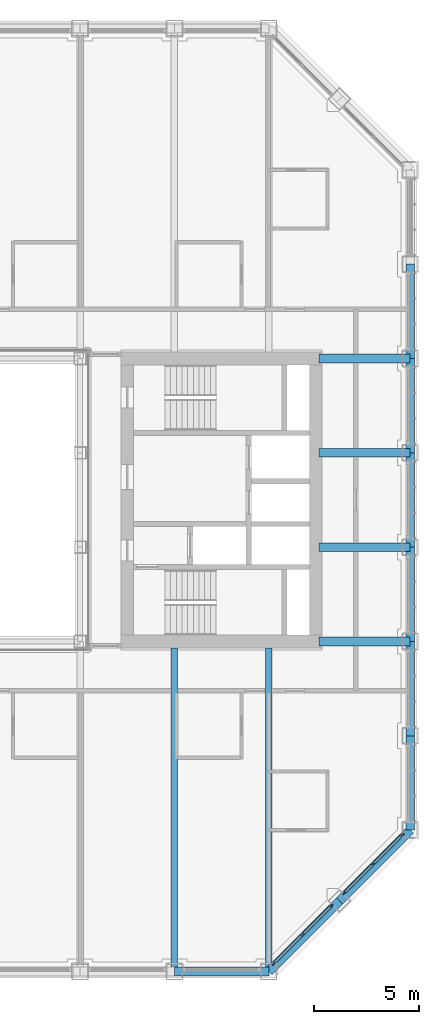
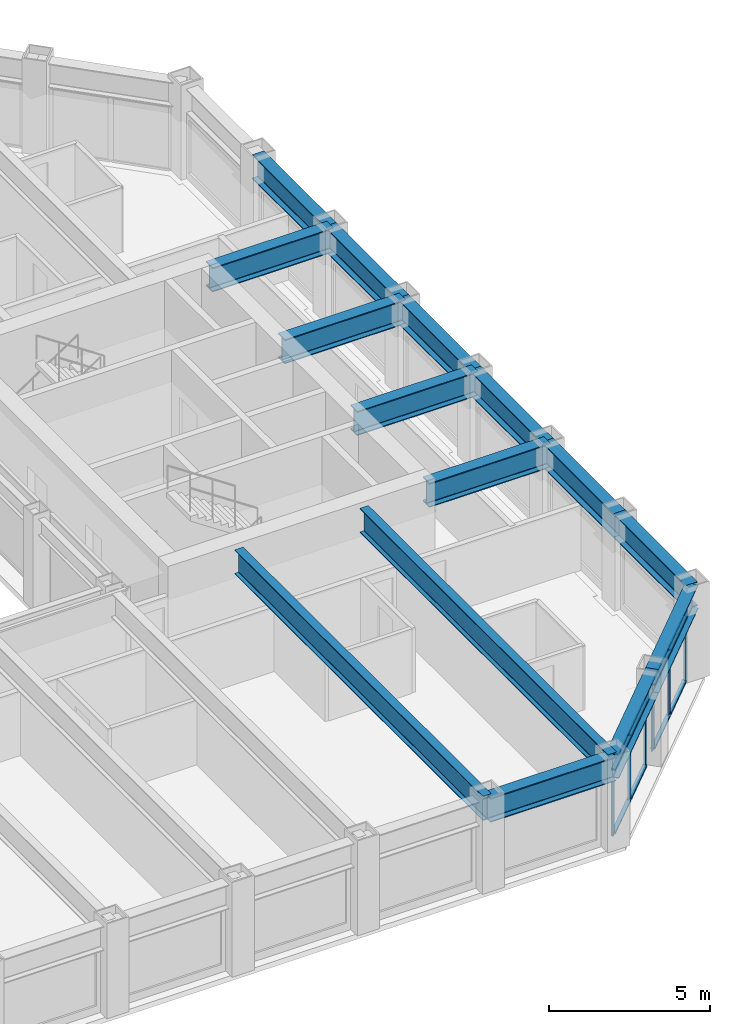
# One storey, part 6 of 17: 15 beams, 14 members, 2 elements without a shape of their own.
"""IFC4 building model written with IfcOpenShell, lengths in metres."""

from ifc_helpers import new_model, si_unit, direction, frame, origin, origin_2d, place, context, subcontext, project, spatial, rectangle, i_section, extrude, material, material_profile, profile_set, type_object, element, aggregate, save


model = new_model("IFC4")

# Units and contexts
model_context = context("Model", 3, precision=1e-05, world=origin(), true_north=direction((0.0, 1.0)))
body_context = subcontext(model_context, "Body", "Model", "MODEL_VIEW")
ifc_project = project(units=[si_unit("LENGTHUNIT", "METRE"), si_unit("AREAUNIT", "SQUARE_METRE"), si_unit("VOLUMEUNIT", "CUBIC_METRE"), si_unit("PLANEANGLEUNIT", "RADIAN"), si_unit("MASSUNIT", "GRAM", prefix="KILO")], contexts=[model_context])

# Site, building, storey
site_placement = place(None, origin())
site = spatial("IfcSite", under=ifc_project, at=site_placement, CompositionType="ELEMENT")
building_placement = place(site_placement, origin())
building = spatial("IfcBuilding", under=site, at=building_placement, Name="Msasa Ring Tower", CompositionType="ELEMENT")
storey_placement = place(building_placement, frame((0.0, 0.0, 147.199951171875)))
storey = spatial("IfcBuildingStorey", under=building, at=storey_placement, Name="L38", CompositionType="ELEMENT", Elevation=147.199951171875)

# Curtain wall, members
ifc_material_1 = material(Name="Aluminium curtain wall with clear glass", Category="aluminium")
curtain_wall_type = type_object("IfcCurtainWallType", Name="CW-C CHAMFER CORNER CURTAIN WALL", PredefinedType="NOTDEFINED", material=ifc_material_1)
curtain_wall_1_placement = place(storey_placement, origin())
curtain_wall_1 = element("IfcCurtainWall", 1, at=curtain_wall_1_placement, inside=storey, type_object=curtain_wall_type, Name="Chamfer corner curtain wall SE L38", PredefinedType="NOTDEFINED")
ifc_material_2 = material(Name="Aluminium mullion", Category="aluminium")
ifc_material_profile_1 = material_profile(ifc_material_2, rectangle(XDim=0.06494140625, YDim=0.179931640625, at=origin_2d()), Name="AL 65x180")
ifc_profile_set_1 = profile_set([ifc_material_profile_1], Name="Aluminium mullion")
member_type_1 = type_object("IfcMemberType", Name="CW-C MULLION 65x180", PredefinedType="MULLION", material=ifc_profile_set_1)
member_1_placement = place(storey_placement, frame((15.98876953125, -22.119873046875, 0.0), z_axis=(0.0, 0.0, 1.0), x_axis=(-0.707106781187, 0.707106781187, 0.0)))
member_1 = element("IfcMember", 2, at=member_1_placement, type_object=member_type_1, Name="CW-C mullion 1", PredefinedType="MULLION", context=body_context, shape_type="SweptSolid", body=[
    extrude(rectangle(XDim=0.06494140625, YDim=0.179931640625, at=origin_2d()), origin(), (0.0, 0.0, 1.0), 2.47900390625),
])
member_2_placement = place(storey_placement, frame((17.36669921875, -20.74169921875, 0.0), z_axis=(0.0, 0.0, 1.0), x_axis=(-0.707106781187, 0.707106781187, 0.0)))
member_2 = element("IfcMember", 3, at=member_2_placement, type_object=member_type_1, Name="CW-C mullion 2", PredefinedType="MULLION", context=body_context, shape_type="SweptSolid", body=[
    extrude(rectangle(XDim=0.06494140625, YDim=0.179931640625, at=origin_2d()), origin(), (0.0, 0.0, 1.0), 2.47900390625),
])
member_3_placement = place(storey_placement, frame((18.744873046875, -19.36376953125, 0.0), z_axis=(0.0, 0.0, 1.0), x_axis=(-0.707106781187, 0.707106781187, 0.0)))
member_3 = element("IfcMember", 4, at=member_3_placement, type_object=member_type_1, Name="CW-C mullion 3", PredefinedType="MULLION", context=body_context, shape_type="SweptSolid", body=[
    extrude(rectangle(XDim=0.06494140625, YDim=0.179931640625, at=origin_2d()), origin(), (0.0, 0.0, 1.0), 2.47900390625),
])

curtain_wall_2_placement = place(storey_placement, origin())
curtain_wall_2 = element("IfcCurtainWall", 5, at=curtain_wall_2_placement, inside=storey, type_object=curtain_wall_type, Name="Chamfer corner curtain wall SE L38", PredefinedType="NOTDEFINED")
member_4_placement = place(storey_placement, frame((19.36376953125, -18.744873046875, 0.0), z_axis=(0.0, 0.0, 1.0), x_axis=(-0.707106781187, 0.707106781187, 0.0)))
member_4 = element("IfcMember", 6, at=member_4_placement, type_object=member_type_1, Name="CW-C mullion 1", PredefinedType="MULLION", context=body_context, shape_type="SweptSolid", body=[
    extrude(rectangle(XDim=0.06494140625, YDim=0.179931640625, at=origin_2d()), origin(), (0.0, 0.0, 1.0), 2.47900390625),
])
member_5_placement = place(storey_placement, frame((20.74169921875, -17.36669921875, 0.0), z_axis=(0.0, 0.0, 1.0), x_axis=(-0.707106781187, 0.707106781187, 0.0)))
member_5 = element("IfcMember", 7, at=member_5_placement, type_object=member_type_1, Name="CW-C mullion 2", PredefinedType="MULLION", context=body_context, shape_type="SweptSolid", body=[
    extrude(rectangle(XDim=0.06494140625, YDim=0.179931640625, at=origin_2d()), origin(), (0.0, 0.0, 1.0), 2.47900390625),
])
member_6_placement = place(storey_placement, frame((22.119873046875, -15.98876953125, 0.0), z_axis=(0.0, 0.0, 1.0), x_axis=(-0.707106781187, 0.707106781187, 0.0)))
member_6 = element("IfcMember", 8, at=member_6_placement, type_object=member_type_1, Name="CW-C mullion 3", PredefinedType="MULLION", context=body_context, shape_type="SweptSolid", body=[
    extrude(rectangle(XDim=0.06494140625, YDim=0.179931640625, at=origin_2d()), origin(), (0.0, 0.0, 1.0), 2.47900390625),
])

# Member
ifc_material_3 = material(Name="Aluminium transom", Category="aluminium")
ifc_material_profile_2 = material_profile(ifc_material_3, rectangle(XDim=0.139892578125, YDim=0.06494140625, at=origin_2d()), Name="AL 65x140")
ifc_profile_set_2 = profile_set([ifc_material_profile_2], Name="Aluminium transom")
member_type_2 = type_object("IfcMemberType", Name="CW-C TRANSOM 65x140", PredefinedType="USERDEFINED", material=ifc_profile_set_2)
member_7_placement = place(storey_placement, frame((16.01171875, -22.096923828125, 0.032470703125), z_axis=(0.707106781187, 0.707106781187, 0.0), x_axis=(-0.707106781187, 0.707106781187, 0.0)))
member_7 = element("IfcMember", 9, at=member_7_placement, type_object=member_type_2, Name="CW-C transom 1.1", ObjectType="TRANSOM", PredefinedType="USERDEFINED", context=body_context, shape_type="SweptSolid", body=[
    extrude(rectangle(XDim=0.139892578125, YDim=0.06494140625, at=origin_2d()), origin(), (0.0, 0.0, 1.0), 1.8837890625),
])

member_8_placement = place(storey_placement, frame((16.01171875, -22.096923828125, 2.446533203125), z_axis=(0.707106781187, 0.707106781187, 0.0), x_axis=(-0.707106781187, 0.707106781187, 0.0)))
member_8 = element("IfcMember", 10, at=member_8_placement, type_object=member_type_2, Name="CW-C transom 1.2", ObjectType="TRANSOM", PredefinedType="USERDEFINED", context=body_context, shape_type="SweptSolid", body=[
    extrude(rectangle(XDim=0.139892578125, YDim=0.06494140625, at=origin_2d()), origin(), (0.0, 0.0, 1.0), 1.8837890625),
])

member_9_placement = place(storey_placement, frame((17.389892578125, -20.71875, 0.032470703125), z_axis=(0.707106781187, 0.707106781187, 0.0), x_axis=(-0.707106781187, 0.707106781187, 0.0)))
member_9 = element("IfcMember", 11, at=member_9_placement, type_object=member_type_2, Name="CW-C transom 2.1", ObjectType="TRANSOM", PredefinedType="USERDEFINED", context=body_context, shape_type="SweptSolid", body=[
    extrude(rectangle(XDim=0.139892578125, YDim=0.06494140625, at=origin_2d()), origin(), (0.0, 0.0, 1.0), 1.8837890625),
])

member_10_placement = place(storey_placement, frame((17.389892578125, -20.71875, 2.446533203125), z_axis=(0.707106781187, 0.707106781187, 0.0), x_axis=(-0.707106781187, 0.707106781187, 0.0)))
member_10 = element("IfcMember", 12, at=member_10_placement, type_object=member_type_2, Name="CW-C transom 2.2", ObjectType="TRANSOM", PredefinedType="USERDEFINED", context=body_context, shape_type="SweptSolid", body=[
    extrude(rectangle(XDim=0.139892578125, YDim=0.06494140625, at=origin_2d()), origin(), (0.0, 0.0, 1.0), 1.8837890625),
])

aggregate(curtain_wall_1, [member_1, member_2, member_3, member_7, member_8, member_9, member_10])

member_11_placement = place(storey_placement, frame((19.38671875, -18.721923828125, 0.032470703125), z_axis=(0.707106781187, 0.707106781187, 0.0), x_axis=(-0.707106781187, 0.707106781187, 0.0)))
member_11 = element("IfcMember", 13, at=member_11_placement, type_object=member_type_2, Name="CW-C transom 1.1", ObjectType="TRANSOM", PredefinedType="USERDEFINED", context=body_context, shape_type="SweptSolid", body=[
    extrude(rectangle(XDim=0.139892578125, YDim=0.06494140625, at=origin_2d()), origin(), (0.0, 0.0, 1.0), 1.8837890625),
])

member_12_placement = place(storey_placement, frame((19.38671875, -18.721923828125, 2.446533203125), z_axis=(0.707106781187, 0.707106781187, 0.0), x_axis=(-0.707106781187, 0.707106781187, 0.0)))
member_12 = element("IfcMember", 14, at=member_12_placement, type_object=member_type_2, Name="CW-C transom 1.2", ObjectType="TRANSOM", PredefinedType="USERDEFINED", context=body_context, shape_type="SweptSolid", body=[
    extrude(rectangle(XDim=0.139892578125, YDim=0.06494140625, at=origin_2d()), origin(), (0.0, 0.0, 1.0), 1.8837890625),
])

member_13_placement = place(storey_placement, frame((20.764892578125, -17.34375, 0.032470703125), z_axis=(0.707106781187, 0.707106781187, 0.0), x_axis=(-0.707106781187, 0.707106781187, 0.0)))
member_13 = element("IfcMember", 15, at=member_13_placement, type_object=member_type_2, Name="CW-C transom 2.1", ObjectType="TRANSOM", PredefinedType="USERDEFINED", context=body_context, shape_type="SweptSolid", body=[
    extrude(rectangle(XDim=0.139892578125, YDim=0.06494140625, at=origin_2d()), origin(), (0.0, 0.0, 1.0), 1.8837890625),
])

member_14_placement = place(storey_placement, frame((20.764892578125, -17.34375, 2.446533203125), z_axis=(0.707106781187, 0.707106781187, 0.0), x_axis=(-0.707106781187, 0.707106781187, 0.0)))
member_14 = element("IfcMember", 16, at=member_14_placement, type_object=member_type_2, Name="CW-C transom 2.2", ObjectType="TRANSOM", PredefinedType="USERDEFINED", context=body_context, shape_type="SweptSolid", body=[
    extrude(rectangle(XDim=0.139892578125, YDim=0.06494140625, at=origin_2d()), origin(), (0.0, 0.0, 1.0), 1.8837890625),
])

aggregate(curtain_wall_2, [member_4, member_5, member_6, member_11, member_12, member_13, member_14])

# Beams
ifc_material_4 = material(Name="Steel S355", Category="steel")
ifc_material_profile_3 = material_profile(ifc_material_4, i_section(OverallWidth=0.42041015625, OverallDepth=0.9208984375, WebThickness=0.021484375, FlangeThickness=0.03662109375, FilletRadius=0.024169921875, at=origin_2d()), Name="UB 914x419x388")
ifc_profile_set_3 = profile_set([ifc_material_profile_3], Name="Steel S355")
beam_type_1 = type_object("IfcBeamType", Name="FB2 UB 914x419x388", PredefinedType="BEAM", material=ifc_profile_set_3)
for number, where, z_axis, x_axis, name in (
    (17, (22.5, -2.25, 2.939453125), (-1.0, 0.0, 0.0), (0.0, -1.0, 0.0), "Floor beam E -2.25 under L39"),
    (18, (22.5, 2.25, 2.939453125), (-1.0, 0.0, 0.0), (0.0, -1.0, 0.0), "Floor beam E +2.25 under L39"),
):
    element("IfcBeam", number, at=place(storey_placement, frame(where, z_axis=z_axis, x_axis=x_axis)), inside=storey, type_object=beam_type_1, Name=name, PredefinedType="BEAM", context=body_context, shape_type="SweptSolid", body=[
        extrude(i_section(OverallWidth=0.42041015625, OverallDepth=0.9208984375, WebThickness=0.021484375, FlangeThickness=0.03662109375, FilletRadius=0.024169921875, at=origin_2d()), origin(), (0.0, 0.0, 1.0), 4.35009765625),
    ])
ifc_material_5 = material(Name="Steel S355", Category="steel")
ifc_material_profile_4 = material_profile(ifc_material_5, i_section(OverallWidth=0.3076171875, OverallDepth=0.926513671875, WebThickness=0.01953125, FlangeThickness=0.031982421875, FilletRadius=0.01904296875, at=origin_2d()), Name="UB 914x305x289")
ifc_profile_set_4 = profile_set([ifc_material_profile_4], Name="Steel S355")
beam_type_2 = type_object("IfcBeamType", Name="FB3 UB 914x305x289", PredefinedType="BEAM", material=ifc_profile_set_4)
for number, where, z_axis, x_axis, name in (
    (19, (11.25, -22.5, 2.936767578125), (0.0, 1.0, 0.0), (-1.0, 0.0, 0.0), "Floor beam S+11.25 under L39"),
    (20, (15.75, -22.5, 2.936767578125), (0.0, 1.0, 0.0), (-1.0, 0.0, 0.0), "Floor beam S+15.75 under L39"),
):
    element("IfcBeam", number, at=place(storey_placement, frame(where, z_axis=z_axis, x_axis=x_axis)), inside=storey, type_object=beam_type_2, Name=name, PredefinedType="BEAM", context=body_context, shape_type="SweptSolid", body=[
        extrude(i_section(OverallWidth=0.3076171875, OverallDepth=0.926513671875, WebThickness=0.01953125, FlangeThickness=0.031982421875, FilletRadius=0.01904296875, at=origin_2d()), origin(), (0.0, 0.0, 1.0), 15.449951171875),
    ])
ifc_material_6 = material(Name="Steel S355", Category="steel")
ifc_material_profile_5 = material_profile(ifc_material_6, i_section(OverallWidth=0.42041015625, OverallDepth=0.9208984375, WebThickness=0.021484375, FlangeThickness=0.03662109375, FilletRadius=0.024169921875, at=origin_2d()), Name="UB 914x419x388")
ifc_profile_set_5 = profile_set([ifc_material_profile_5], Name="Steel S355")
beam_type_3 = type_object("IfcBeamType", Name="GB1 UB 914x419x388", PredefinedType="BEAM", material=ifc_profile_set_5)
for number, where, z_axis, x_axis, name in (
    (21, (18.14990234375, 6.75, 2.939453125), (1.0, 0.0, 0.0), (0.0, 1.0, 0.0), "Girder E +6.75 under L39"),
    (22, (18.14990234375, -6.75, 2.939453125), (1.0, 0.0, 0.0), (0.0, 1.0, 0.0), "Girder E -6.75 under L39"),
):
    element("IfcBeam", number, at=place(storey_placement, frame(where, z_axis=z_axis, x_axis=x_axis)), inside=storey, type_object=beam_type_3, Name=name, PredefinedType="BEAM", context=body_context, shape_type="SweptSolid", body=[
        extrude(i_section(OverallWidth=0.42041015625, OverallDepth=0.9208984375, WebThickness=0.021484375, FlangeThickness=0.03662109375, FilletRadius=0.024169921875, at=origin_2d()), origin(), (0.0, 0.0, 1.0), 4.35009765625),
    ])
ifc_material_7 = material(Name="Steel S355", Category="steel")
ifc_material_profile_6 = material_profile(ifc_material_7, i_section(OverallWidth=0.42041015625, OverallDepth=0.9208984375, WebThickness=0.021484375, FlangeThickness=0.03662109375, FilletRadius=0.024169921875, at=origin_2d()), Name="UB 914x419x388")
ifc_profile_set_6 = profile_set([ifc_material_profile_6], Name="Steel S355")
beam_type_4 = type_object("IfcBeamType", Name="SB1 UB 914x419x388", PredefinedType="SPANDREL", material=ifc_profile_set_6)
beam_placement = place(storey_placement, frame((11.25, -22.5, 2.939453125), z_axis=(1.0, 0.0, 0.0), x_axis=(0.0, 1.0, 0.0)))
element("IfcBeam", 23, at=beam_placement, inside=storey, type_object=beam_type_4, Name="Spandrel S+11.25 to S+15.75 under L39", PredefinedType="SPANDREL", context=body_context, shape_type="SweptSolid", body=[
    extrude(i_section(OverallWidth=0.42041015625, OverallDepth=0.9208984375, WebThickness=0.021484375, FlangeThickness=0.03662109375, FilletRadius=0.024169921875, at=origin_2d()), origin(), (0.0, 0.0, 1.0), 4.5),
])
for number, where, z_axis, x_axis, name in (
    (24, (15.75, -22.5, 2.939453125), (0.707106781187, 0.707106781187, 0.0), (-0.707106781187, 0.707106781187, 0.0), "Spandrel S+15.75 to SE under L39"),
    (25, (19.125, -19.125, 2.939453125), (0.707106781187, 0.707106781187, 0.0), (-0.707106781187, 0.707106781187, 0.0), "Spandrel SE to E-15.75 under L39"),
):
    element("IfcBeam", number, at=place(storey_placement, frame(where, z_axis=z_axis, x_axis=x_axis)), inside=storey, type_object=beam_type_4, Name=name, PredefinedType="SPANDREL", context=body_context, shape_type="SweptSolid", body=[
        extrude(i_section(OverallWidth=0.42041015625, OverallDepth=0.9208984375, WebThickness=0.021484375, FlangeThickness=0.03662109375, FilletRadius=0.024169921875, at=origin_2d()), origin(), (0.0, 0.0, 1.0), 4.77294921875),
    ])
for number, where, z_axis, x_axis, name in (
    (26, (22.5, -15.75, 2.939453125), (0.0, 1.0, 0.0), (-1.0, 0.0, 0.0), "Spandrel E-15.75 to E-11.25 under L39"),
    (27, (22.5, -11.25, 2.939453125), (0.0, 1.0, 0.0), (-1.0, 0.0, 0.0), "Spandrel E-11.25 to E-6.75 under L39"),
    (28, (22.5, -6.75, 2.939453125), (0.0, 1.0, 0.0), (-1.0, 0.0, 0.0), "Spandrel E-6.75 to E-2.25 under L39"),
    (29, (22.5, -2.25, 2.939453125), (0.0, 1.0, 0.0), (-1.0, 0.0, 0.0), "Spandrel E-2.25 to E+2.25 under L39"),
    (30, (22.5, 2.25, 2.939453125), (0.0, 1.0, 0.0), (-1.0, 0.0, 0.0), "Spandrel E+2.25 to E+6.75 under L39"),
    (31, (22.5, 6.75, 2.939453125), (0.0, 1.0, 0.0), (-1.0, 0.0, 0.0), "Spandrel E+6.75 to E+11.25 under L39"),
):
    element("IfcBeam", number, at=place(storey_placement, frame(where, z_axis=z_axis, x_axis=x_axis)), inside=storey, type_object=beam_type_4, Name=name, PredefinedType="SPANDREL", context=body_context, shape_type="SweptSolid", body=[
        extrude(i_section(OverallWidth=0.42041015625, OverallDepth=0.9208984375, WebThickness=0.021484375, FlangeThickness=0.03662109375, FilletRadius=0.024169921875, at=origin_2d()), origin(), (0.0, 0.0, 1.0), 4.5),
    ])

save(model, "model.ifc")
